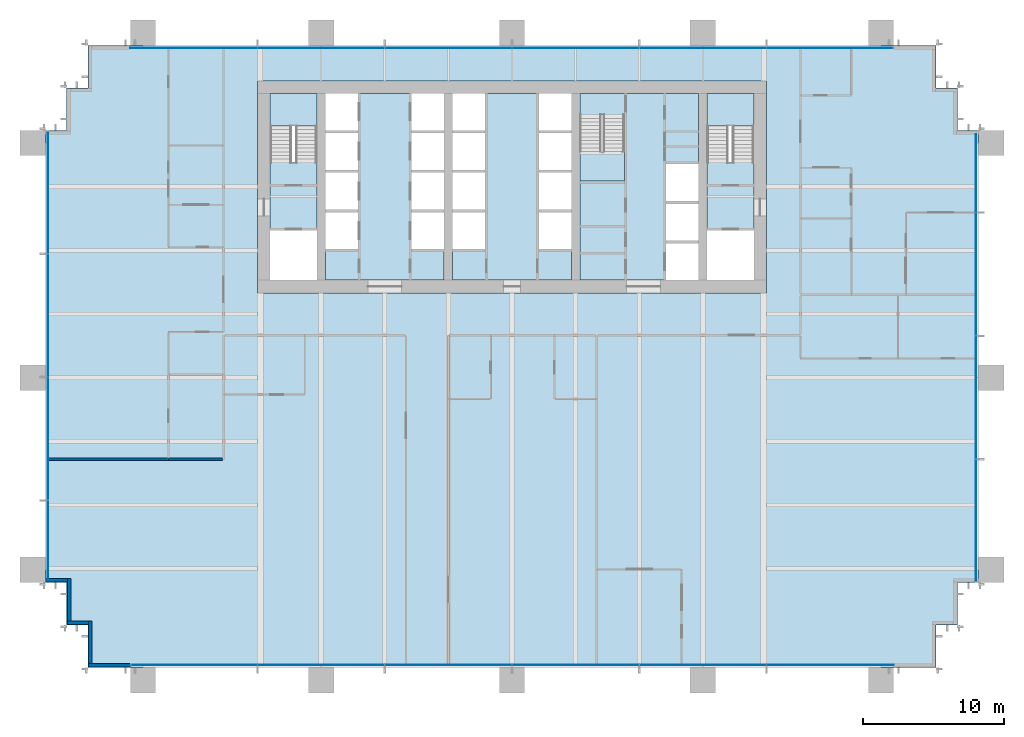
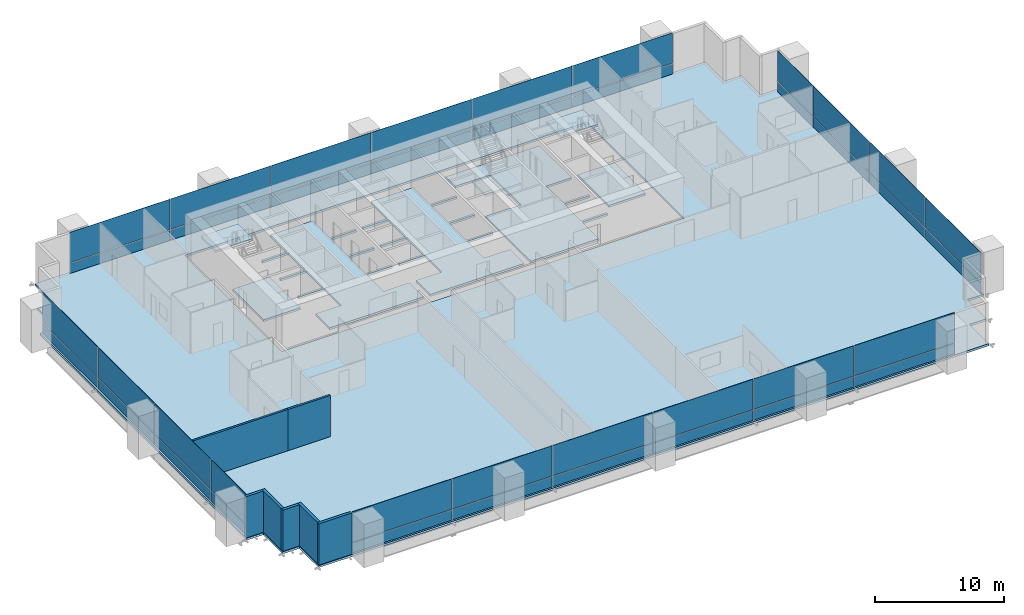
# One storey, part 10 of 17: 40 plates, 9 slabs, 7 walls, 7 elements without a shape of their own.
"""IFC4 building model written with IfcOpenShell, lengths in metres."""

from ifc_helpers import new_model, si_unit, direction, frame, frame_2d, origin, origin_2d, place, context, subcontext, project, spatial, polyline, rectangle, outline, extrude, material, layer, layer_set, type_object, element, aggregate, save


model = new_model("IFC4")

# Units and contexts
model_context = context("Model", 3, precision=1e-05, world=origin(), true_north=direction((0.0, 1.0)))
body_context = subcontext(model_context, "Body", "Model", "MODEL_VIEW")
ifc_project = project(units=[si_unit("LENGTHUNIT", "METRE"), si_unit("AREAUNIT", "SQUARE_METRE"), si_unit("VOLUMEUNIT", "CUBIC_METRE"), si_unit("PLANEANGLEUNIT", "RADIAN"), si_unit("MASSUNIT", "GRAM", prefix="KILO")], contexts=[model_context])

# Site, building, storey
site_placement = place(None, origin())
site = spatial("IfcSite", under=ifc_project, at=site_placement, CompositionType="ELEMENT")
building_placement = place(site_placement, origin())
building = spatial("IfcBuilding", under=site, at=building_placement, Name="Rattan Terrace Tower", CompositionType="ELEMENT")
storey_placement = place(building_placement, frame((0.0, 0.0, 48.800048828125)))
storey = spatial("IfcBuildingStorey", under=building, at=storey_placement, Name="L10", CompositionType="ELEMENT", Elevation=48.800048828125)

# Stair, slab
ifc_material_1 = material(Name="Concrete C40/50", Category="concrete")
stair_type = type_object("IfcStairType", Name="Core exit stair 1500", PredefinedType="HALF_TURN_STAIR", material=ifc_material_1)
stair_1_placement = place(storey_placement, origin())
stair_1 = element("IfcStair", 1, at=stair_1_placement, inside=storey, type_object=stair_type, Name="L10 exit stair 1", PredefinedType="HALF_TURN_STAIR")
ifc_material_2 = material(Name="Concrete C40/50", Category="concrete")
ifc_layer_1 = layer(ifc_material_2, 0.199951171875)
ifc_layer_set_1 = layer_set([ifc_layer_1], Name="Core exit stair landing")
slab_type_1 = type_object("IfcSlabType", Name="Core exit stair landing", PredefinedType="LANDING", material=ifc_layer_set_1)
slab_1_placement = place(storey_placement, frame((0.0, 0.0, 1.849853515625)))
slab_1 = element("IfcSlab", 2, at=slab_1_placement, type_object=slab_type_1, Name="S1 landing 1", PredefinedType="LANDING", context=body_context, shape_type="SweptSolid", body=[
    extrude(outline(polyline([(-13.800048828125, 4.300048828125), (-13.800048828125, 6.60009765625), (-17.10009765625, 6.60009765625), (-17.10009765625, 4.300048828125), (-13.800048828125, 4.300048828125)])), origin(), (0.0, 0.0, 1.0), 0.2001953125),
])
aggregate(stair_1, [slab_1])

stair_2_placement = place(storey_placement, origin())
stair_2 = element("IfcStair", 3, at=stair_2_placement, inside=storey, type_object=stair_type, Name="L10 exit stair 2", PredefinedType="HALF_TURN_STAIR")
slab_2_placement = place(storey_placement, frame((0.0, 0.0, 1.849853515625)))
slab_2 = element("IfcSlab", 4, at=slab_2_placement, type_object=slab_type_1, Name="S2 landing 1", PredefinedType="LANDING", context=body_context, shape_type="SweptSolid", body=[
    extrude(outline(polyline([(17.10009765625, 4.300048828125), (17.10009765625, 6.60009765625), (13.800048828125, 6.60009765625), (13.800048828125, 4.300048828125), (17.10009765625, 4.300048828125)])), origin(), (0.0, 0.0, 1.0), 0.2001953125),
])
aggregate(stair_2, [slab_2])

stair_3_placement = place(storey_placement, origin())
stair_3 = element("IfcStair", 5, at=stair_3_placement, inside=storey, type_object=stair_type, Name="L10 exit stair 3", PredefinedType="HALF_TURN_STAIR")
slab_3_placement = place(storey_placement, frame((0.0, 0.0, 1.849853515625)))
slab_3 = element("IfcSlab", 6, at=slab_3_placement, type_object=slab_type_1, Name="S3 landing 1", PredefinedType="LANDING", context=body_context, shape_type="SweptSolid", body=[
    extrude(outline(polyline([(4.800048828125, 2.5), (4.800048828125, 0.39990234375), (7.949951171875, 0.39990234375), (7.949951171875, 2.5), (4.800048828125, 2.5)])), origin(), (0.0, 0.0, 1.0), 0.2001953125),
])
aggregate(stair_3, [slab_3])

# Curtain wall, plates
ifc_material_3 = material(Name="Aluminium and glass", Category="aluminium")
curtain_wall_type = type_object("IfcCurtainWallType", Name="Facade Unitised Curtain Wall", PredefinedType="NOTDEFINED", material=ifc_material_3)
curtain_wall_1_placement = place(storey_placement, origin())
curtain_wall_1 = element("IfcCurtainWall", 7, at=curtain_wall_1_placement, inside=storey, type_object=curtain_wall_type, Name="Curtain wall L10-1", PredefinedType="NOTDEFINED")
ifc_material_4 = material(Name="Aluminium insulated spandrel panel", Category="aluminium")
ifc_layer_2 = layer(ifc_material_4, 0.028076171875)
ifc_layer_set_2 = layer_set([ifc_layer_2], Name="Facade CW Spandrel Panel")
plate_type_1 = type_object("IfcPlateType", Name="Facade CW Spandrel Panel", PredefinedType="CURTAIN_PANEL", material=ifc_layer_set_2)
plate_1_placement = place(storey_placement, frame((32.830078125, -23.59912109375, 0.0), z_axis=(0.0, 0.0, 1.0), x_axis=(0.0, 1.0, 0.0)))
plate_1 = element("IfcPlate", 8, at=plate_1_placement, type_object=plate_type_1, Name="Panel cwl-L10-001.1.1", PredefinedType="CURTAIN_PANEL", context=body_context, shape_type="SweptSolid", body=[
    extrude(rectangle(XDim=8.592041015625, YDim=0.028076171875, at=origin_2d()), origin(), (0.0, 0.0, 1.0), 0.969970703125),
])
plate_2_placement = place(storey_placement, frame((32.830078125, -14.909423828125, 0.0), z_axis=(0.0, 0.0, 1.0), x_axis=(0.0, 1.0, 0.0)))
plate_2 = element("IfcPlate", 9, at=plate_2_placement, type_object=plate_type_1, Name="Panel cwl-L10-001.2.1", PredefinedType="CURTAIN_PANEL", context=body_context, shape_type="SweptSolid", body=[
    extrude(rectangle(XDim=8.6669921875, YDim=0.028076171875, at=origin_2d()), origin(), (0.0, 0.0, 1.0), 0.969970703125),
])
plate_3_placement = place(storey_placement, frame((32.830078125, -6.1826171875, 0.0), z_axis=(0.0, 0.0, 1.0), x_axis=(0.0, 1.0, 0.0)))
plate_3 = element("IfcPlate", 10, at=plate_3_placement, type_object=plate_type_1, Name="Panel cwl-L10-001.3.1", PredefinedType="CURTAIN_PANEL", context=body_context, shape_type="SweptSolid", body=[
    extrude(rectangle(XDim=8.6669921875, YDim=0.028076171875, at=origin_2d()), origin(), (0.0, 0.0, 1.0), 0.969970703125),
])
plate_4_placement = place(storey_placement, frame((32.830078125, 0.9580078125, 0.0), z_axis=(0.0, 0.0, 1.0), x_axis=(0.0, 1.0, 0.0)))
plate_4 = element("IfcPlate", 11, at=plate_4_placement, type_object=plate_type_1, Name="Panel cwl-L10-001.4.1", PredefinedType="CURTAIN_PANEL", context=body_context, shape_type="SweptSolid", body=[
    extrude(rectangle(XDim=5.493896484375, YDim=0.028076171875, at=origin_2d()), origin(), (0.0, 0.0, 1.0), 0.969970703125),
])

curtain_wall_2_placement = place(storey_placement, origin())
curtain_wall_2 = element("IfcCurtainWall", 12, at=curtain_wall_2_placement, inside=storey, type_object=curtain_wall_type, Name="Curtain wall L10-2", PredefinedType="NOTDEFINED")
plate_5_placement = place(storey_placement, frame((22.485107421875, 9.830078125, 0.0), z_axis=(0.0, 0.0, 1.0), x_axis=(-1.0, 0.0, 0.0)))
plate_5 = element("IfcPlate", 13, at=plate_5_placement, type_object=plate_type_1, Name="Panel cwl-L10-002.1.1", PredefinedType="CURTAIN_PANEL", context=body_context, shape_type="SweptSolid", body=[
    extrude(rectangle(XDim=8.909912109375, YDim=0.028076171875, at=origin_2d()), origin(), (0.0, 0.0, 1.0), 0.969970703125),
])
plate_6_placement = place(storey_placement, frame((13.5, 9.830078125, 0.0), z_axis=(0.0, 0.0, 1.0), x_axis=(-1.0, 0.0, 0.0)))
plate_6 = element("IfcPlate", 14, at=plate_6_placement, type_object=plate_type_1, Name="Panel cwl-L10-002.2.1", PredefinedType="CURTAIN_PANEL", context=body_context, shape_type="SweptSolid", body=[
    extrude(rectangle(XDim=8.93994140625, YDim=0.028076171875, at=origin_2d()), origin(), (0.0, 0.0, 1.0), 0.969970703125),
])
plate_7_placement = place(storey_placement, frame((4.5, 9.830078125, 0.0), z_axis=(0.0, 0.0, 1.0), x_axis=(-1.0, 0.0, 0.0)))
plate_7 = element("IfcPlate", 15, at=plate_7_placement, type_object=plate_type_1, Name="Panel cwl-L10-002.3.1", PredefinedType="CURTAIN_PANEL", context=body_context, shape_type="SweptSolid", body=[
    extrude(rectangle(XDim=8.93994140625, YDim=0.028076171875, at=origin_2d()), origin(), (0.0, 0.0, 1.0), 0.969970703125),
])
plate_8_placement = place(storey_placement, frame((-4.5, 9.830078125, 0.0), z_axis=(0.0, 0.0, 1.0), x_axis=(-1.0, 0.0, 0.0)))
plate_8 = element("IfcPlate", 16, at=plate_8_placement, type_object=plate_type_1, Name="Panel cwl-L10-002.4.1", PredefinedType="CURTAIN_PANEL", context=body_context, shape_type="SweptSolid", body=[
    extrude(rectangle(XDim=8.93994140625, YDim=0.028076171875, at=origin_2d()), origin(), (0.0, 0.0, 1.0), 0.969970703125),
])
plate_9_placement = place(storey_placement, frame((-13.5, 9.830078125, 0.0), z_axis=(0.0, 0.0, 1.0), x_axis=(-1.0, 0.0, 0.0)))
plate_9 = element("IfcPlate", 17, at=plate_9_placement, type_object=plate_type_1, Name="Panel cwl-L10-002.5.1", PredefinedType="CURTAIN_PANEL", context=body_context, shape_type="SweptSolid", body=[
    extrude(rectangle(XDim=8.93994140625, YDim=0.028076171875, at=origin_2d()), origin(), (0.0, 0.0, 1.0), 0.969970703125),
])
plate_10_placement = place(storey_placement, frame((-22.514892578125, 9.830078125, 0.0), z_axis=(0.0, 0.0, 1.0), x_axis=(-1.0, 0.0, 0.0)))
plate_10 = element("IfcPlate", 18, at=plate_10_placement, type_object=plate_type_1, Name="Panel cwl-L10-002.6.1", PredefinedType="CURTAIN_PANEL", context=body_context, shape_type="SweptSolid", body=[
    extrude(rectangle(XDim=8.969970703125, YDim=0.028076171875, at=origin_2d()), origin(), (0.0, 0.0, 1.0), 0.969970703125),
])

curtain_wall_3_placement = place(storey_placement, origin())
curtain_wall_3 = element("IfcCurtainWall", 19, at=curtain_wall_3_placement, inside=storey, type_object=curtain_wall_type, Name="Curtain wall L10-3", PredefinedType="NOTDEFINED")
plate_11_placement = place(storey_placement, frame((-32.830078125, -0.40087890625, 0.0), z_axis=(0.0, 0.0, 1.0), x_axis=(0.0, -1.0, 0.0)))
plate_11 = element("IfcPlate", 20, at=plate_11_placement, type_object=plate_type_1, Name="Panel cwl-L10-003.1.1", PredefinedType="CURTAIN_PANEL", context=body_context, shape_type="SweptSolid", body=[
    extrude(rectangle(XDim=8.592041015625, YDim=0.028076171875, at=origin_2d()), origin(), (0.0, 0.0, 1.0), 0.969970703125),
])
plate_12_placement = place(storey_placement, frame((-32.830078125, -9.090576171875, 0.0), z_axis=(0.0, 0.0, 1.0), x_axis=(0.0, -1.0, 0.0)))
plate_12 = element("IfcPlate", 21, at=plate_12_placement, type_object=plate_type_1, Name="Panel cwl-L10-003.2.1", PredefinedType="CURTAIN_PANEL", context=body_context, shape_type="SweptSolid", body=[
    extrude(rectangle(XDim=8.6669921875, YDim=0.028076171875, at=origin_2d()), origin(), (0.0, 0.0, 1.0), 0.969970703125),
])
plate_13_placement = place(storey_placement, frame((-32.830078125, -17.8173828125, 0.0), z_axis=(0.0, 0.0, 1.0), x_axis=(0.0, -1.0, 0.0)))
plate_13 = element("IfcPlate", 22, at=plate_13_placement, type_object=plate_type_1, Name="Panel cwl-L10-003.3.1", PredefinedType="CURTAIN_PANEL", context=body_context, shape_type="SweptSolid", body=[
    extrude(rectangle(XDim=8.6669921875, YDim=0.028076171875, at=origin_2d()), origin(), (0.0, 0.0, 1.0), 0.969970703125),
])
plate_14_placement = place(storey_placement, frame((-32.830078125, -24.9580078125, 0.0), z_axis=(0.0, 0.0, 1.0), x_axis=(0.0, -1.0, 0.0)))
plate_14 = element("IfcPlate", 23, at=plate_14_placement, type_object=plate_type_1, Name="Panel cwl-L10-003.4.1", PredefinedType="CURTAIN_PANEL", context=body_context, shape_type="SweptSolid", body=[
    extrude(rectangle(XDim=5.493896484375, YDim=0.028076171875, at=origin_2d()), origin(), (0.0, 0.0, 1.0), 0.969970703125),
])

curtain_wall_4_placement = place(storey_placement, origin())
curtain_wall_4 = element("IfcCurtainWall", 24, at=curtain_wall_4_placement, inside=storey, type_object=curtain_wall_type, Name="Curtain wall L10-4", PredefinedType="NOTDEFINED")
plate_15_placement = place(storey_placement, frame((-22.485107421875, -33.830078125, 0.0), z_axis=(0.0, 0.0, 1.0), x_axis=(1.0, 0.0, 0.0)))
plate_15 = element("IfcPlate", 25, at=plate_15_placement, type_object=plate_type_1, Name="Panel cwl-L10-004.1.1", PredefinedType="CURTAIN_PANEL", context=body_context, shape_type="SweptSolid", body=[
    extrude(rectangle(XDim=8.909912109375, YDim=0.028076171875, at=origin_2d()), origin(), (0.0, 0.0, 1.0), 0.969970703125),
])
plate_16_placement = place(storey_placement, frame((-13.5, -33.830078125, 0.0), z_axis=(0.0, 0.0, 1.0), x_axis=(1.0, 0.0, 0.0)))
plate_16 = element("IfcPlate", 26, at=plate_16_placement, type_object=plate_type_1, Name="Panel cwl-L10-004.2.1", PredefinedType="CURTAIN_PANEL", context=body_context, shape_type="SweptSolid", body=[
    extrude(rectangle(XDim=8.93994140625, YDim=0.028076171875, at=origin_2d()), origin(), (0.0, 0.0, 1.0), 0.969970703125),
])
plate_17_placement = place(storey_placement, frame((-4.5, -33.830078125, 0.0), z_axis=(0.0, 0.0, 1.0), x_axis=(1.0, 0.0, 0.0)))
plate_17 = element("IfcPlate", 27, at=plate_17_placement, type_object=plate_type_1, Name="Panel cwl-L10-004.3.1", PredefinedType="CURTAIN_PANEL", context=body_context, shape_type="SweptSolid", body=[
    extrude(rectangle(XDim=8.93994140625, YDim=0.028076171875, at=origin_2d()), origin(), (0.0, 0.0, 1.0), 0.969970703125),
])
plate_18_placement = place(storey_placement, frame((4.5, -33.830078125, 0.0), z_axis=(0.0, 0.0, 1.0), x_axis=(1.0, 0.0, 0.0)))
plate_18 = element("IfcPlate", 28, at=plate_18_placement, type_object=plate_type_1, Name="Panel cwl-L10-004.4.1", PredefinedType="CURTAIN_PANEL", context=body_context, shape_type="SweptSolid", body=[
    extrude(rectangle(XDim=8.93994140625, YDim=0.028076171875, at=origin_2d()), origin(), (0.0, 0.0, 1.0), 0.969970703125),
])
plate_19_placement = place(storey_placement, frame((13.5, -33.830078125, 0.0), z_axis=(0.0, 0.0, 1.0), x_axis=(1.0, 0.0, 0.0)))
plate_19 = element("IfcPlate", 29, at=plate_19_placement, type_object=plate_type_1, Name="Panel cwl-L10-004.5.1", PredefinedType="CURTAIN_PANEL", context=body_context, shape_type="SweptSolid", body=[
    extrude(rectangle(XDim=8.93994140625, YDim=0.028076171875, at=origin_2d()), origin(), (0.0, 0.0, 1.0), 0.969970703125),
])
plate_20_placement = place(storey_placement, frame((22.514892578125, -33.830078125, 0.0), z_axis=(0.0, 0.0, 1.0), x_axis=(1.0, 0.0, 0.0)))
plate_20 = element("IfcPlate", 30, at=plate_20_placement, type_object=plate_type_1, Name="Panel cwl-L10-004.6.1", PredefinedType="CURTAIN_PANEL", context=body_context, shape_type="SweptSolid", body=[
    extrude(rectangle(XDim=8.969970703125, YDim=0.028076171875, at=origin_2d()), origin(), (0.0, 0.0, 1.0), 0.969970703125),
])

# Plate
ifc_material_5 = material(Name="Clear low-iron glass", Category="glass")
ifc_layer_3 = layer(ifc_material_5, 0.028076171875)
ifc_layer_set_3 = layer_set([ifc_layer_3], Name="Facade CW Vision Panel")
plate_type_2 = type_object("IfcPlateType", Name="Facade CW Vision Panel", PredefinedType="CURTAIN_PANEL", material=ifc_layer_set_3)
plate_21_placement = place(storey_placement, frame((32.830078125, -23.59912109375, 1.02978515625), z_axis=(0.0, 0.0, 1.0), x_axis=(0.0, 1.0, 0.0)))
plate_21 = element("IfcPlate", 31, at=plate_21_placement, type_object=plate_type_2, Name="Panel cwl-L10-001.1.2", PredefinedType="CURTAIN_PANEL", context=body_context, shape_type="SweptSolid", body=[
    extrude(rectangle(XDim=8.592041015625, YDim=0.028076171875, at=origin_2d()), origin(), (0.0, 0.0, 1.0), 2.8701171875),
])

plate_22_placement = place(storey_placement, frame((32.830078125, -14.909423828125, 1.02978515625), z_axis=(0.0, 0.0, 1.0), x_axis=(0.0, 1.0, 0.0)))
plate_22 = element("IfcPlate", 32, at=plate_22_placement, type_object=plate_type_2, Name="Panel cwl-L10-001.2.2", PredefinedType="CURTAIN_PANEL", context=body_context, shape_type="SweptSolid", body=[
    extrude(rectangle(XDim=8.6669921875, YDim=0.028076171875, at=origin_2d()), origin(), (0.0, 0.0, 1.0), 2.8701171875),
])

plate_23_placement = place(storey_placement, frame((32.830078125, -6.1826171875, 1.02978515625), z_axis=(0.0, 0.0, 1.0), x_axis=(0.0, 1.0, 0.0)))
plate_23 = element("IfcPlate", 33, at=plate_23_placement, type_object=plate_type_2, Name="Panel cwl-L10-001.3.2", PredefinedType="CURTAIN_PANEL", context=body_context, shape_type="SweptSolid", body=[
    extrude(rectangle(XDim=8.6669921875, YDim=0.028076171875, at=origin_2d()), origin(), (0.0, 0.0, 1.0), 2.8701171875),
])

plate_24_placement = place(storey_placement, frame((32.830078125, 0.9580078125, 1.02978515625), z_axis=(0.0, 0.0, 1.0), x_axis=(0.0, 1.0, 0.0)))
plate_24 = element("IfcPlate", 34, at=plate_24_placement, type_object=plate_type_2, Name="Panel cwl-L10-001.4.2", PredefinedType="CURTAIN_PANEL", context=body_context, shape_type="SweptSolid", body=[
    extrude(rectangle(XDim=5.493896484375, YDim=0.028076171875, at=origin_2d()), origin(), (0.0, 0.0, 1.0), 2.8701171875),
])

aggregate(curtain_wall_1, [plate_1, plate_21, plate_2, plate_22, plate_3, plate_23, plate_4, plate_24])

plate_25_placement = place(storey_placement, frame((22.485107421875, 9.830078125, 1.02978515625), z_axis=(0.0, 0.0, 1.0), x_axis=(-1.0, 0.0, 0.0)))
plate_25 = element("IfcPlate", 35, at=plate_25_placement, type_object=plate_type_2, Name="Panel cwl-L10-002.1.2", PredefinedType="CURTAIN_PANEL", context=body_context, shape_type="SweptSolid", body=[
    extrude(rectangle(XDim=8.909912109375, YDim=0.028076171875, at=origin_2d()), origin(), (0.0, 0.0, 1.0), 2.8701171875),
])

plate_26_placement = place(storey_placement, frame((13.5, 9.830078125, 1.02978515625), z_axis=(0.0, 0.0, 1.0), x_axis=(-1.0, 0.0, 0.0)))
plate_26 = element("IfcPlate", 36, at=plate_26_placement, type_object=plate_type_2, Name="Panel cwl-L10-002.2.2", PredefinedType="CURTAIN_PANEL", context=body_context, shape_type="SweptSolid", body=[
    extrude(rectangle(XDim=8.93994140625, YDim=0.028076171875, at=origin_2d()), origin(), (0.0, 0.0, 1.0), 2.8701171875),
])

plate_27_placement = place(storey_placement, frame((4.5, 9.830078125, 1.02978515625), z_axis=(0.0, 0.0, 1.0), x_axis=(-1.0, 0.0, 0.0)))
plate_27 = element("IfcPlate", 37, at=plate_27_placement, type_object=plate_type_2, Name="Panel cwl-L10-002.3.2", PredefinedType="CURTAIN_PANEL", context=body_context, shape_type="SweptSolid", body=[
    extrude(rectangle(XDim=8.93994140625, YDim=0.028076171875, at=origin_2d()), origin(), (0.0, 0.0, 1.0), 2.8701171875),
])

plate_28_placement = place(storey_placement, frame((-4.5, 9.830078125, 1.02978515625), z_axis=(0.0, 0.0, 1.0), x_axis=(-1.0, 0.0, 0.0)))
plate_28 = element("IfcPlate", 38, at=plate_28_placement, type_object=plate_type_2, Name="Panel cwl-L10-002.4.2", PredefinedType="CURTAIN_PANEL", context=body_context, shape_type="SweptSolid", body=[
    extrude(rectangle(XDim=8.93994140625, YDim=0.028076171875, at=origin_2d()), origin(), (0.0, 0.0, 1.0), 2.8701171875),
])

plate_29_placement = place(storey_placement, frame((-13.5, 9.830078125, 1.02978515625), z_axis=(0.0, 0.0, 1.0), x_axis=(-1.0, 0.0, 0.0)))
plate_29 = element("IfcPlate", 39, at=plate_29_placement, type_object=plate_type_2, Name="Panel cwl-L10-002.5.2", PredefinedType="CURTAIN_PANEL", context=body_context, shape_type="SweptSolid", body=[
    extrude(rectangle(XDim=8.93994140625, YDim=0.028076171875, at=origin_2d()), origin(), (0.0, 0.0, 1.0), 2.8701171875),
])

plate_30_placement = place(storey_placement, frame((-22.514892578125, 9.830078125, 1.02978515625), z_axis=(0.0, 0.0, 1.0), x_axis=(-1.0, 0.0, 0.0)))
plate_30 = element("IfcPlate", 40, at=plate_30_placement, type_object=plate_type_2, Name="Panel cwl-L10-002.6.2", PredefinedType="CURTAIN_PANEL", context=body_context, shape_type="SweptSolid", body=[
    extrude(rectangle(XDim=8.969970703125, YDim=0.028076171875, at=origin_2d()), origin(), (0.0, 0.0, 1.0), 2.8701171875),
])

aggregate(curtain_wall_2, [plate_5, plate_25, plate_6, plate_26, plate_7, plate_27, plate_8, plate_28, plate_9, plate_29, plate_10, plate_30])

plate_31_placement = place(storey_placement, frame((-32.830078125, -0.40087890625, 1.02978515625), z_axis=(0.0, 0.0, 1.0), x_axis=(0.0, -1.0, 0.0)))
plate_31 = element("IfcPlate", 41, at=plate_31_placement, type_object=plate_type_2, Name="Panel cwl-L10-003.1.2", PredefinedType="CURTAIN_PANEL", context=body_context, shape_type="SweptSolid", body=[
    extrude(rectangle(XDim=8.592041015625, YDim=0.028076171875, at=origin_2d()), origin(), (0.0, 0.0, 1.0), 2.8701171875),
])

plate_32_placement = place(storey_placement, frame((-32.830078125, -9.090576171875, 1.02978515625), z_axis=(0.0, 0.0, 1.0), x_axis=(0.0, -1.0, 0.0)))
plate_32 = element("IfcPlate", 42, at=plate_32_placement, type_object=plate_type_2, Name="Panel cwl-L10-003.2.2", PredefinedType="CURTAIN_PANEL", context=body_context, shape_type="SweptSolid", body=[
    extrude(rectangle(XDim=8.6669921875, YDim=0.028076171875, at=origin_2d()), origin(), (0.0, 0.0, 1.0), 2.8701171875),
])

plate_33_placement = place(storey_placement, frame((-32.830078125, -17.8173828125, 1.02978515625), z_axis=(0.0, 0.0, 1.0), x_axis=(0.0, -1.0, 0.0)))
plate_33 = element("IfcPlate", 43, at=plate_33_placement, type_object=plate_type_2, Name="Panel cwl-L10-003.3.2", PredefinedType="CURTAIN_PANEL", context=body_context, shape_type="SweptSolid", body=[
    extrude(rectangle(XDim=8.6669921875, YDim=0.028076171875, at=origin_2d()), origin(), (0.0, 0.0, 1.0), 2.8701171875),
])

plate_34_placement = place(storey_placement, frame((-32.830078125, -24.9580078125, 1.02978515625), z_axis=(0.0, 0.0, 1.0), x_axis=(0.0, -1.0, 0.0)))
plate_34 = element("IfcPlate", 44, at=plate_34_placement, type_object=plate_type_2, Name="Panel cwl-L10-003.4.2", PredefinedType="CURTAIN_PANEL", context=body_context, shape_type="SweptSolid", body=[
    extrude(rectangle(XDim=5.493896484375, YDim=0.028076171875, at=origin_2d()), origin(), (0.0, 0.0, 1.0), 2.8701171875),
])

aggregate(curtain_wall_3, [plate_11, plate_31, plate_12, plate_32, plate_13, plate_33, plate_14, plate_34])

plate_35_placement = place(storey_placement, frame((-22.485107421875, -33.830078125, 1.02978515625), z_axis=(0.0, 0.0, 1.0), x_axis=(1.0, 0.0, 0.0)))
plate_35 = element("IfcPlate", 45, at=plate_35_placement, type_object=plate_type_2, Name="Panel cwl-L10-004.1.2", PredefinedType="CURTAIN_PANEL", context=body_context, shape_type="SweptSolid", body=[
    extrude(rectangle(XDim=8.909912109375, YDim=0.028076171875, at=origin_2d()), origin(), (0.0, 0.0, 1.0), 2.8701171875),
])

plate_36_placement = place(storey_placement, frame((-13.5, -33.830078125, 1.02978515625), z_axis=(0.0, 0.0, 1.0), x_axis=(1.0, 0.0, 0.0)))
plate_36 = element("IfcPlate", 46, at=plate_36_placement, type_object=plate_type_2, Name="Panel cwl-L10-004.2.2", PredefinedType="CURTAIN_PANEL", context=body_context, shape_type="SweptSolid", body=[
    extrude(rectangle(XDim=8.93994140625, YDim=0.028076171875, at=origin_2d()), origin(), (0.0, 0.0, 1.0), 2.8701171875),
])

plate_37_placement = place(storey_placement, frame((-4.5, -33.830078125, 1.02978515625), z_axis=(0.0, 0.0, 1.0), x_axis=(1.0, 0.0, 0.0)))
plate_37 = element("IfcPlate", 47, at=plate_37_placement, type_object=plate_type_2, Name="Panel cwl-L10-004.3.2", PredefinedType="CURTAIN_PANEL", context=body_context, shape_type="SweptSolid", body=[
    extrude(rectangle(XDim=8.93994140625, YDim=0.028076171875, at=origin_2d()), origin(), (0.0, 0.0, 1.0), 2.8701171875),
])

plate_38_placement = place(storey_placement, frame((4.5, -33.830078125, 1.02978515625), z_axis=(0.0, 0.0, 1.0), x_axis=(1.0, 0.0, 0.0)))
plate_38 = element("IfcPlate", 48, at=plate_38_placement, type_object=plate_type_2, Name="Panel cwl-L10-004.4.2", PredefinedType="CURTAIN_PANEL", context=body_context, shape_type="SweptSolid", body=[
    extrude(rectangle(XDim=8.93994140625, YDim=0.028076171875, at=origin_2d()), origin(), (0.0, 0.0, 1.0), 2.8701171875),
])

plate_39_placement = place(storey_placement, frame((13.5, -33.830078125, 1.02978515625), z_axis=(0.0, 0.0, 1.0), x_axis=(1.0, 0.0, 0.0)))
plate_39 = element("IfcPlate", 49, at=plate_39_placement, type_object=plate_type_2, Name="Panel cwl-L10-004.5.2", PredefinedType="CURTAIN_PANEL", context=body_context, shape_type="SweptSolid", body=[
    extrude(rectangle(XDim=8.93994140625, YDim=0.028076171875, at=origin_2d()), origin(), (0.0, 0.0, 1.0), 2.8701171875),
])

plate_40_placement = place(storey_placement, frame((22.514892578125, -33.830078125, 1.02978515625), z_axis=(0.0, 0.0, 1.0), x_axis=(1.0, 0.0, 0.0)))
plate_40 = element("IfcPlate", 50, at=plate_40_placement, type_object=plate_type_2, Name="Panel cwl-L10-004.6.2", PredefinedType="CURTAIN_PANEL", context=body_context, shape_type="SweptSolid", body=[
    extrude(rectangle(XDim=8.969970703125, YDim=0.028076171875, at=origin_2d()), origin(), (0.0, 0.0, 1.0), 2.8701171875),
])

aggregate(curtain_wall_4, [plate_15, plate_35, plate_16, plate_36, plate_17, plate_37, plate_18, plate_38, plate_19, plate_39, plate_20, plate_40])

# Slabs
ifc_material_6 = material(Name="Concrete C35/45", Category="concrete")
ifc_layer_4 = layer(ifc_material_6, 0.199951171875)
ifc_layer_set_4 = layer_set([ifc_layer_4], Name="Frame composite floor slab 200")
slab_type_2 = type_object("IfcSlabType", Name="Frame composite floor slab 200", PredefinedType="FLOOR", material=ifc_layer_set_4)
slab_4_placement = place(storey_placement, frame((0.0, 0.0, -0.199951171875)))
element("IfcSlab", 51, at=slab_4_placement, inside=storey, type_object=slab_type_2, Name="Floor slab", PredefinedType="FLOOR", context=body_context, shape_type="SweptSolid", body=[
    extrude(outline(polyline([(-27.0, -34.0), (27.0, -34.0), (30.0, -34.0), (30.0, -31.0), (31.5, -31.0), (31.5, -28.0), (33.0, -28.0), (33.0, 4.0), (31.5, 4.0), (31.5, 7.0), (30.0, 7.0), (30.0, 10.0), (27.0, 10.0), (-27.0, 10.0), (-30.0, 10.0), (-30.0, 7.0), (-31.5, 7.0), (-31.5, 4.0), (-33.0, 4.0), (-33.0, -28.0), (-31.5, -28.0), (-31.5, -31.0), (-30.0, -31.0), (-30.0, -34.0), (-27.0, -34.0)]), holes=[polyline([(-18.0, -6.60009765625), (-18.0, -7.5), (18.0, -7.5), (18.0, -6.60009765625), (18.0, 6.60009765625), (18.0, 7.5), (-18.0, 7.5), (-18.0, 6.60009765625), (-18.0, -6.60009765625)])]), origin(), (0.0, 0.0, 1.0), 0.199951171875),
])
slab_5_placement = place(storey_placement, frame((0.0, 0.0, -0.199951171875)))
element("IfcSlab", 52, at=slab_5_placement, inside=storey, type_object=slab_type_2, Name="Floor slab", PredefinedType="FLOOR", context=body_context, shape_type="SweptSolid", body=[
    extrude(outline(polyline([(-10.89990234375, 6.60009765625), (-10.89990234375, 4.0), (-13.199951171875, 4.0), (-13.199951171875, 3.800048828125), (-10.89990234375, 3.800048828125), (-10.89990234375, 1.199951171875), (-13.199951171875, 1.199951171875), (-13.199951171875, 1.0), (-10.89990234375, 1.0), (-10.89990234375, -1.60009765625), (-13.199951171875, -1.60009765625), (-13.199951171875, -1.800048828125), (-10.89990234375, -1.800048828125), (-10.89990234375, -4.39990234375), (-13.199951171875, -4.39990234375), (-13.199951171875, -6.60009765625), (-4.800048828125, -6.60009765625), (-4.800048828125, -4.39990234375), (-7.10009765625, -4.39990234375), (-7.10009765625, -1.800048828125), (-4.800048828125, -1.800048828125), (-4.800048828125, -1.60009765625), (-7.10009765625, -1.60009765625), (-7.10009765625, 1.0), (-4.800048828125, 1.0), (-4.800048828125, 1.199951171875), (-7.10009765625, 1.199951171875), (-7.10009765625, 3.800048828125), (-4.800048828125, 3.800048828125), (-4.800048828125, 4.0), (-7.10009765625, 4.0), (-7.10009765625, 6.60009765625), (-10.89990234375, 6.60009765625)])), origin(), (0.0, 0.0, 1.0), 0.199951171875),
])
slab_6_placement = place(storey_placement, frame((0.0, 0.0, -0.199951171875)))
element("IfcSlab", 53, at=slab_6_placement, inside=storey, type_object=slab_type_2, Name="Floor slab", PredefinedType="FLOOR", context=body_context, shape_type="SweptSolid", body=[
    extrude(outline(polyline([(-17.10009765625, -3.10009765625), (-13.800048828125, -3.10009765625), (-13.800048828125, 1.7099609375), (-17.10009765625, 1.7099609375), (-17.10009765625, -3.10009765625)])), origin(), (0.0, 0.0, 1.0), 0.199951171875),
])
slab_7_placement = place(storey_placement, frame((0.0, 0.0, -0.199951171875)))
element("IfcSlab", 54, at=slab_7_placement, inside=storey, type_object=slab_type_2, Name="Floor slab", PredefinedType="FLOOR", context=body_context, shape_type="SweptSolid", body=[
    extrude(outline(polyline([(-4.199951171875, 4.0), (-4.199951171875, 3.800048828125), (-1.89990234375, 3.800048828125), (-1.89990234375, 1.199951171875), (-4.199951171875, 1.199951171875), (-4.199951171875, 1.0), (-1.89990234375, 1.0), (-1.89990234375, -1.60009765625), (-4.199951171875, -1.60009765625), (-4.199951171875, -1.800048828125), (-1.89990234375, -1.800048828125), (-1.89990234375, -4.39990234375), (-4.199951171875, -4.39990234375), (-4.199951171875, -6.60009765625), (4.199951171875, -6.60009765625), (4.199951171875, -4.39990234375), (1.89990234375, -4.39990234375), (1.89990234375, -1.800048828125), (4.199951171875, -1.800048828125), (4.199951171875, -1.60009765625), (1.89990234375, -1.60009765625), (1.89990234375, 1.0), (4.199951171875, 1.0), (4.199951171875, 1.199951171875), (1.89990234375, 1.199951171875), (1.89990234375, 3.800048828125), (4.199951171875, 3.800048828125), (4.199951171875, 4.0), (1.89990234375, 4.0), (1.89990234375, 6.60009765625), (-1.89990234375, 6.60009765625), (-1.89990234375, 4.0), (-4.199951171875, 4.0)])), origin(), (0.0, 0.0, 1.0), 0.199951171875),
])
slab_8_placement = place(storey_placement, frame((0.0, 0.0, -0.199951171875)))
element("IfcSlab", 55, at=slab_8_placement, inside=storey, type_object=slab_type_2, Name="Floor slab", PredefinedType="FLOOR", context=body_context, shape_type="SweptSolid", body=[
    extrude(outline(polyline([(4.800048828125, 5.090087890625), (7.949951171875, 5.090087890625), (7.949951171875, 0.39990234375), (4.800048828125, 0.39990234375), (4.800048828125, -6.60009765625), (10.89990234375, -6.60009765625), (10.89990234375, -4.0), (13.199951171875, -4.0), (13.199951171875, -3.800048828125), (10.89990234375, -3.800048828125), (10.89990234375, -1.199951171875), (13.199951171875, -1.199951171875), (13.199951171875, -1.0), (10.89990234375, -1.0), (10.89990234375, 1.60009765625), (13.199951171875, 1.60009765625), (13.199951171875, 6.60009765625), (4.800048828125, 6.60009765625), (4.800048828125, 5.090087890625)])), origin(), (0.0, 0.0, 1.0), 0.199951171875),
])
slab_9_placement = place(storey_placement, frame((0.0, 0.0, -0.199951171875)))
element("IfcSlab", 56, at=slab_9_placement, inside=storey, type_object=slab_type_2, Name="Floor slab", PredefinedType="FLOOR", context=body_context, shape_type="SweptSolid", body=[
    extrude(outline(polyline([(13.800048828125, -3.10009765625), (17.10009765625, -3.10009765625), (17.10009765625, 1.7099609375), (13.800048828125, 1.7099609375), (13.800048828125, -3.10009765625)])), origin(), (0.0, 0.0, 1.0), 0.199951171875),
])

# Walls
ifc_material_7 = material(Name="Insulated aluminium-clad stud wall", Category="aluminium")
ifc_layer_5 = layer(ifc_material_7, 0.25)
ifc_layer_set_5 = layer_set([ifc_layer_5], Name="Facade Riser Wall 250")
wall_type_1 = type_object("IfcWallType", Name="Facade Riser Wall 250", PredefinedType="SOLIDWALL", material=ifc_layer_set_5)
wall_1_placement = place(storey_placement, frame((-33.0048828125, -27.830078125, 0.0), z_axis=(0.0, 0.0, 1.0), x_axis=(1.0, 0.0, 0.0)))
element("IfcWall", 57, at=wall_1_placement, inside=storey, type_object=wall_type_1, Name="Riser wall L10-16", PredefinedType="SOLIDWALL", context=body_context, shape_type="SweptSolid", body=[
    extrude(rectangle(XDim=1.5498046875, YDim=0.25, at=frame_2d((0.77490234375, 0.0))), origin(), (0.0, 0.0, 1.0), 3.89990234375),
])
wall_2_placement = place(storey_placement, frame((-31.330078125, -27.705078125, 0.0), z_axis=(0.0, 0.0, 1.0), x_axis=(0.0, -1.0, 0.0)))
element("IfcWall", 58, at=wall_2_placement, inside=storey, type_object=wall_type_1, Name="Riser wall L10-17", PredefinedType="SOLIDWALL", context=body_context, shape_type="SweptSolid", body=[
    extrude(rectangle(XDim=3.0, YDim=0.25, at=frame_2d((1.5, 0.0))), origin(), (0.0, 0.0, 1.0), 3.89990234375),
])
wall_3_placement = place(storey_placement, frame((-31.455078125, -30.830078125, 0.0), z_axis=(0.0, 0.0, 1.0), x_axis=(1.0, 0.0, 0.0)))
element("IfcWall", 59, at=wall_3_placement, inside=storey, type_object=wall_type_1, Name="Riser wall L10-18", PredefinedType="SOLIDWALL", context=body_context, shape_type="SweptSolid", body=[
    extrude(rectangle(XDim=1.5, YDim=0.25, at=frame_2d((0.75, 0.0))), origin(), (0.0, 0.0, 1.0), 3.89990234375),
])
wall_4_placement = place(storey_placement, frame((-29.830078125, -30.705078125, 0.0), z_axis=(0.0, 0.0, 1.0), x_axis=(0.0, -1.0, 0.0)))
element("IfcWall", 60, at=wall_4_placement, inside=storey, type_object=wall_type_1, Name="Riser wall L10-19", PredefinedType="SOLIDWALL", context=body_context, shape_type="SweptSolid", body=[
    extrude(rectangle(XDim=3.0, YDim=0.25, at=frame_2d((1.5, 0.0))), origin(), (0.0, 0.0, 1.0), 3.89990234375),
])
wall_5_placement = place(storey_placement, frame((-29.955078125, -33.830078125, 0.0), z_axis=(0.0, 0.0, 1.0), x_axis=(1.0, 0.0, 0.0)))
element("IfcWall", 61, at=wall_5_placement, inside=storey, type_object=wall_type_1, Name="Riser wall L10-20", PredefinedType="SOLIDWALL", context=body_context, shape_type="SweptSolid", body=[
    extrude(rectangle(XDim=2.955078125, YDim=0.25, at=frame_2d((1.4775390625, 0.0))), origin(), (0.0, 0.0, 1.0), 3.89990234375),
])
ifc_material_8 = material(Name="Double steel stud acoustic partition, gypsum board, mineral wool, fire rated", Category="steel")
ifc_layer_6 = layer(ifc_material_8, 0.179931640625)
ifc_layer_set_6 = layer_set([ifc_layer_6], Name="Floors Acoustic Party Wall 180")
wall_type_2 = type_object("IfcWallType", Name="Floors Acoustic Party Wall 180", PredefinedType="PARTITIONING", material=ifc_layer_set_6)
wall_6_placement = place(storey_placement, frame((-24.300048828125, -19.27294921875, 0.0), z_axis=(0.0, 0.0, 1.0), x_axis=(-1.0, 0.0, 0.0)))
element("IfcWall", 62, at=wall_6_placement, inside=storey, type_object=wall_type_2, Name="pt-L10-026", PredefinedType="PARTITIONING", context=body_context, shape_type="SweptSolid", body=[
    extrude(rectangle(XDim=8.43994140625, YDim=0.179931640625, at=frame_2d((4.219970703125, 0.0))), origin(), (0.0, 0.0, 1.0), 3.89990234375),
])
wall_7_placement = place(storey_placement, frame((-20.489990234375, -19.27392578125, 0.0), z_axis=(0.0, 0.0, 1.0), x_axis=(-1.0, 0.0, 0.0)))
element("IfcWall", 63, at=wall_7_placement, inside=storey, type_object=wall_type_2, Name="pt-L10-028", PredefinedType="PARTITIONING", context=body_context, shape_type="SweptSolid", body=[
    extrude(rectangle(XDim=3.81005859375, YDim=0.179931640625, at=frame_2d((1.905029296875, 0.0))), origin(), (0.0, 0.0, 1.0), 3.89990234375),
])

save(model, "model.ifc")
